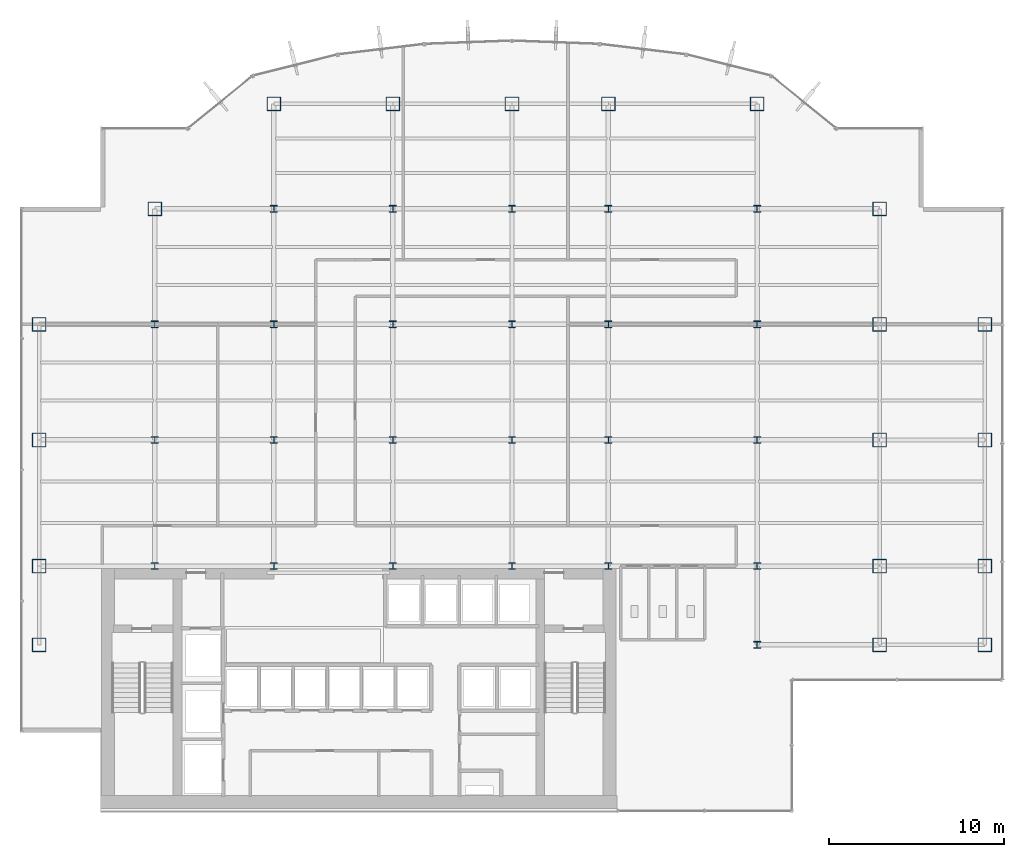
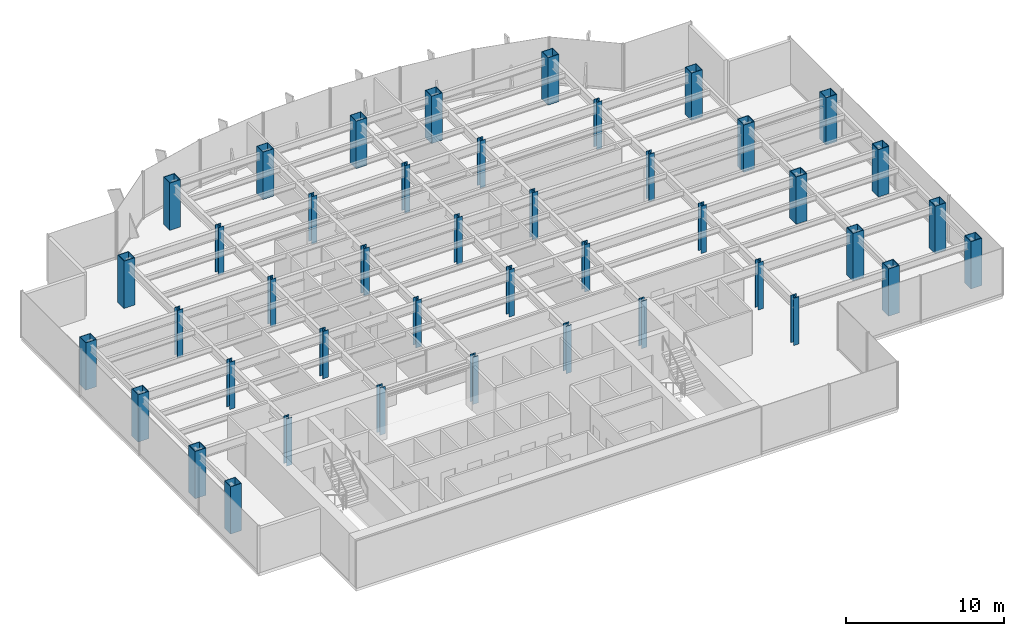
# One storey, part 1 of 26: 43 columns.
"""IFC4 building model written with IfcOpenShell, lengths in metres."""

from ifc_helpers import new_model, si_unit, derived_unit, direction, frame, origin, origin_2d, place, context, subcontext, project, spatial, hollow_rectangle, i_section, extrude, source, transform, mapped, material, material_profile, profile_set, type_object, element, save


model = new_model("IFC4")

# Units and contexts
model_context = context("Model", 3, precision=1e-05, world=origin(), true_north=direction((0.0, 1.0)))
body_context = subcontext(model_context, "Body", "Model", "MODEL_VIEW")
ifc_project = project(units=[si_unit("LENGTHUNIT", "METRE"), si_unit("AREAUNIT", "SQUARE_METRE"), si_unit("VOLUMEUNIT", "CUBIC_METRE"), si_unit("PLANEANGLEUNIT", "RADIAN"), si_unit("MASSUNIT", "GRAM", prefix="KILO"), derived_unit("THERMALTRANSMITTANCEUNIT", [(si_unit("POWERUNIT", "WATT"), 1), (si_unit("LENGTHUNIT", "METRE"), -2), (si_unit("THERMODYNAMICTEMPERATUREUNIT", "KELVIN"), -1)])], contexts=[model_context])

# Site, building, storey
site_placement = place(None, origin())
site = spatial("IfcSite", under=ifc_project, at=site_placement, CompositionType="ELEMENT")
building_placement = place(site_placement, origin())
building = spatial("IfcBuilding", under=site, at=building_placement, Name="Skarnbrae Concourse Arena and Tower", CompositionType="ELEMENT")
storey_placement = place(building_placement, frame((0.0, 0.0, 92.300048828125)))
storey = spatial("IfcBuildingStorey", under=building, at=storey_placement, Name="L22", CompositionType="ELEMENT", Elevation=92.300048828125)

# Columns
ifc_material = material(Name="Steel CSA G40.21 350W", Category="steel")
ifc_material_profile_1 = material_profile(ifc_material, hollow_rectangle(XDim=0.800048828125, YDim=0.800048828125, WallThickness=0.0400390625, at=origin_2d()), Name="BOX800X800X40")
ifc_profile_set_1 = profile_set([ifc_material_profile_1], Name="Steel CSA G40.21 350W")
column_type_1 = type_object("IfcColumnType", Name="COL-TUBE-BOX800", PredefinedType="COLUMN", material=ifc_profile_set_1)
shared_shape_1 = source(origin(), body_context, "Body", "SweptSolid", [
    extrude(hollow_rectangle(XDim=0.800048828125, YDim=0.800048828125, WallThickness=0.0400390625, at=origin_2d()), origin(), (0.0, 0.0, 1.0), 3.64990234375),
])
for number, where, z_axis, x_axis, name in (
    (1, (1.0, 9.5, 0.0), (0.0, 0.0, 1.0), (1.0, 0.0, 0.0), "L22 Tower column PC_01_01"),
    (2, (1.0, 14.0, 0.0), (0.0, 0.0, 1.0), (1.0, 0.0, 0.0), "L22 Tower column PC_01_02"),
    (3, (1.0, 21.199951171875, 0.0), (0.0, 0.0, 1.0), (1.0, 0.0, 0.0), "L22 Tower column PC_01_03"),
    (4, (1.0, 27.800048828125, 0.0), (0.0, 0.0, 1.0), (1.0, 0.0, 0.0), "L22 Tower column PC_01_04"),
    (5, (7.60009765625, 34.39990234375, 0.0), (0.0, 0.0, 1.0), (1.0, 0.0, 0.0), "L22 Tower column PC_02_05"),
    (6, (14.39990234375, 40.39990234375, 0.0), (0.0, 0.0, 1.0), (1.0, 0.0, 0.0), "L22 Tower column PC_03_06"),
    (7, (21.199951171875, 40.39990234375, 0.0), (0.0, 0.0, 1.0), (1.0, 0.0, 0.0), "L22 Tower column PC_04_06"),
    (8, (28.0, 40.39990234375, 0.0), (0.0, 0.0, 1.0), (1.0, 0.0, 0.0), "L22 Tower column PC_05_06"),
    (9, (33.5, 40.39990234375, 0.0), (0.0, 0.0, 1.0), (1.0, 0.0, 0.0), "L22 Tower column PC_06_06"),
    (10, (42.0, 40.39990234375, 0.0), (0.0, 0.0, 1.0), (1.0, 0.0, 0.0), "L22 Tower column PC_07_06"),
    (11, (49.0, 9.5, 0.0), (0.0, 0.0, 1.0), (1.0, 0.0, 0.0), "L22 Tower column PC_08_01"),
    (12, (49.0, 14.0, 0.0), (0.0, 0.0, 1.0), (1.0, 0.0, 0.0), "L22 Tower column PC_08_02"),
    (13, (49.0, 21.199951171875, 0.0), (0.0, 0.0, 1.0), (1.0, 0.0, 0.0), "L22 Tower column PC_08_03"),
    (14, (49.0, 27.800048828125, 0.0), (0.0, 0.0, 1.0), (1.0, 0.0, 0.0), "L22 Tower column PC_08_04"),
    (15, (49.0, 34.39990234375, 0.0), (0.0, 0.0, 1.0), (1.0, 0.0, 0.0), "L22 Tower column PC_08_05"),
    (16, (55.0, 9.5, 0.0), (0.0, 0.0, 1.0), (1.0, 0.0, 0.0), "L22 Tower column PC_09_01"),
    (17, (55.0, 14.0, 0.0), (0.0, 0.0, 1.0), (1.0, 0.0, 0.0), "L22 Tower column PC_09_02"),
    (18, (55.0, 21.199951171875, 0.0), (0.0, 0.0, 1.0), (1.0, 0.0, 0.0), "L22 Tower column PC_09_03"),
    (19, (55.0, 27.800048828125, 0.0), (0.0, 0.0, 1.0), (1.0, 0.0, 0.0), "L22 Tower column PC_09_04"),
):
    element("IfcColumn", number, at=place(storey_placement, frame(where, z_axis=z_axis, x_axis=x_axis)), inside=storey, type_object=column_type_1, Name=name, PredefinedType="COLUMN", context=body_context, shape_type="MappedRepresentation", body=[
        mapped(shared_shape_1, transform((0.0, 0.0, 0.0))),
    ])
ifc_material_profile_2 = material_profile(ifc_material, i_section(OverallWidth=0.39892578125, OverallDepth=0.39306640625, WebThickness=0.022705078125, FlangeThickness=0.03662109375, at=origin_2d()), Name="W360X287")
ifc_profile_set_2 = profile_set([ifc_material_profile_2], Name="Steel CSA G40.21 350W")
column_type_2 = type_object("IfcColumnType", Name="COL-INT-W360X287", PredefinedType="COLUMN", material=ifc_profile_set_2)
shared_shape_2 = source(origin(), body_context, "Body", "SweptSolid", [
    extrude(i_section(OverallWidth=0.39892578125, OverallDepth=0.39306640625, WebThickness=0.022705078125, FlangeThickness=0.03662109375, at=origin_2d()), origin(), (0.0, 0.0, 1.0), 3.64990234375),
])
for number, where, z_axis, x_axis, name in (
    (20, (7.60009765625, 14.0, 0.0), (0.0, 0.0, 1.0), (1.0, 0.0, 0.0), "L22 Tower column IC_02_02"),
    (21, (7.60009765625, 21.199951171875, 0.0), (0.0, 0.0, 1.0), (1.0, 0.0, 0.0), "L22 Tower column IC_02_03"),
    (22, (7.60009765625, 27.800048828125, 0.0), (0.0, 0.0, 1.0), (1.0, 0.0, 0.0), "L22 Tower column IC_02_04"),
    (23, (14.39990234375, 14.0, 0.0), (0.0, 0.0, 1.0), (1.0, 0.0, 0.0), "L22 Tower column IC_03_02"),
    (24, (14.39990234375, 21.199951171875, 0.0), (0.0, 0.0, 1.0), (1.0, 0.0, 0.0), "L22 Tower column IC_03_03"),
    (25, (14.39990234375, 27.800048828125, 0.0), (0.0, 0.0, 1.0), (1.0, 0.0, 0.0), "L22 Tower column IC_03_04"),
    (26, (14.39990234375, 34.39990234375, 0.0), (0.0, 0.0, 1.0), (1.0, 0.0, 0.0), "L22 Tower column IC_03_05"),
    (27, (21.199951171875, 14.0, 0.0), (0.0, 0.0, 1.0), (1.0, 0.0, 0.0), "L22 Tower column IC_04_02"),
    (28, (21.199951171875, 21.199951171875, 0.0), (0.0, 0.0, 1.0), (1.0, 0.0, 0.0), "L22 Tower column IC_04_03"),
    (29, (21.199951171875, 27.800048828125, 0.0), (0.0, 0.0, 1.0), (1.0, 0.0, 0.0), "L22 Tower column IC_04_04"),
    (30, (21.199951171875, 34.39990234375, 0.0), (0.0, 0.0, 1.0), (1.0, 0.0, 0.0), "L22 Tower column IC_04_05"),
    (31, (28.0, 14.0, 0.0), (0.0, 0.0, 1.0), (1.0, 0.0, 0.0), "L22 Tower column IC_05_02"),
    (32, (28.0, 21.199951171875, 0.0), (0.0, 0.0, 1.0), (1.0, 0.0, 0.0), "L22 Tower column IC_05_03"),
    (33, (28.0, 27.800048828125, 0.0), (0.0, 0.0, 1.0), (1.0, 0.0, 0.0), "L22 Tower column IC_05_04"),
    (34, (28.0, 34.39990234375, 0.0), (0.0, 0.0, 1.0), (1.0, 0.0, 0.0), "L22 Tower column IC_05_05"),
    (35, (33.5, 14.0, 0.0), (0.0, 0.0, 1.0), (1.0, 0.0, 0.0), "L22 Tower column IC_06_02"),
    (36, (33.5, 21.199951171875, 0.0), (0.0, 0.0, 1.0), (1.0, 0.0, 0.0), "L22 Tower column IC_06_03"),
    (37, (33.5, 27.800048828125, 0.0), (0.0, 0.0, 1.0), (1.0, 0.0, 0.0), "L22 Tower column IC_06_04"),
    (38, (33.5, 34.39990234375, 0.0), (0.0, 0.0, 1.0), (1.0, 0.0, 0.0), "L22 Tower column IC_06_05"),
    (39, (42.0, 9.5, 0.0), (0.0, 0.0, 1.0), (1.0, 0.0, 0.0), "L22 Tower column IC_07_01"),
    (40, (42.0, 14.0, 0.0), (0.0, 0.0, 1.0), (1.0, 0.0, 0.0), "L22 Tower column IC_07_02"),
    (41, (42.0, 21.199951171875, 0.0), (0.0, 0.0, 1.0), (1.0, 0.0, 0.0), "L22 Tower column IC_07_03"),
    (42, (42.0, 27.800048828125, 0.0), (0.0, 0.0, 1.0), (1.0, 0.0, 0.0), "L22 Tower column IC_07_04"),
    (43, (42.0, 34.39990234375, 0.0), (0.0, 0.0, 1.0), (1.0, 0.0, 0.0), "L22 Tower column IC_07_05"),
):
    element("IfcColumn", number, at=place(storey_placement, frame(where, z_axis=z_axis, x_axis=x_axis)), inside=storey, type_object=column_type_2, Name=name, PredefinedType="COLUMN", context=body_context, shape_type="MappedRepresentation", body=[
        mapped(shared_shape_2, transform((0.0, 0.0, 0.0))),
    ])

save(model, "model.ifc")
